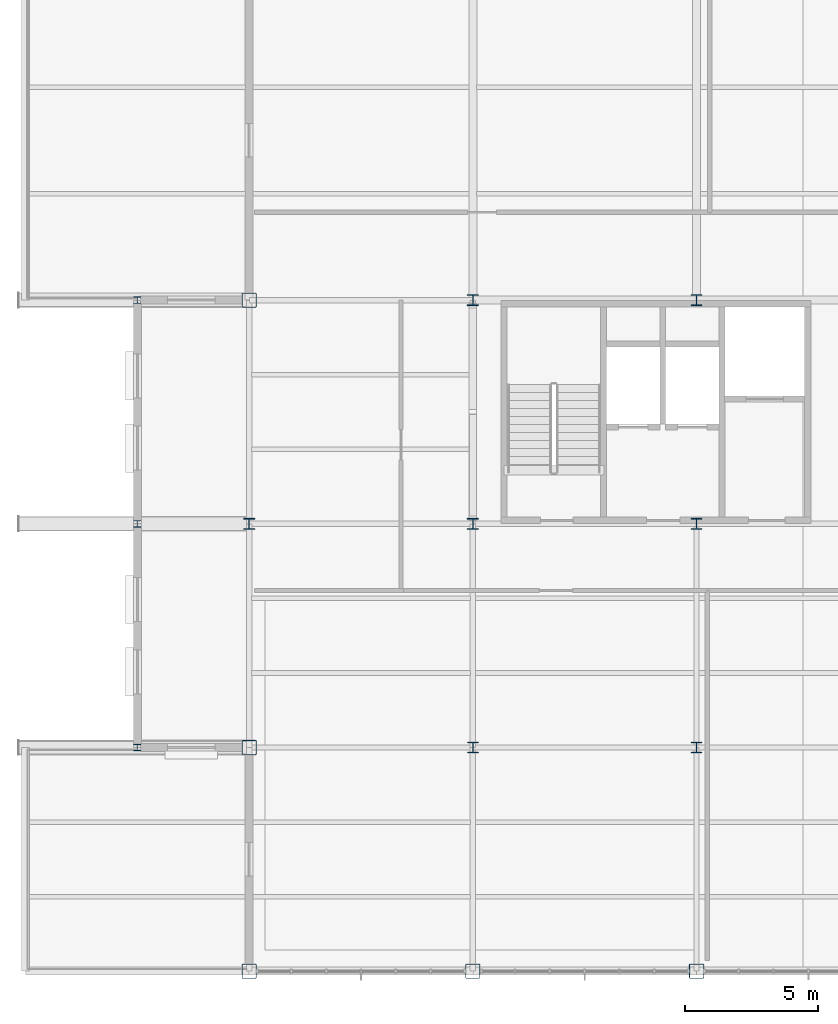
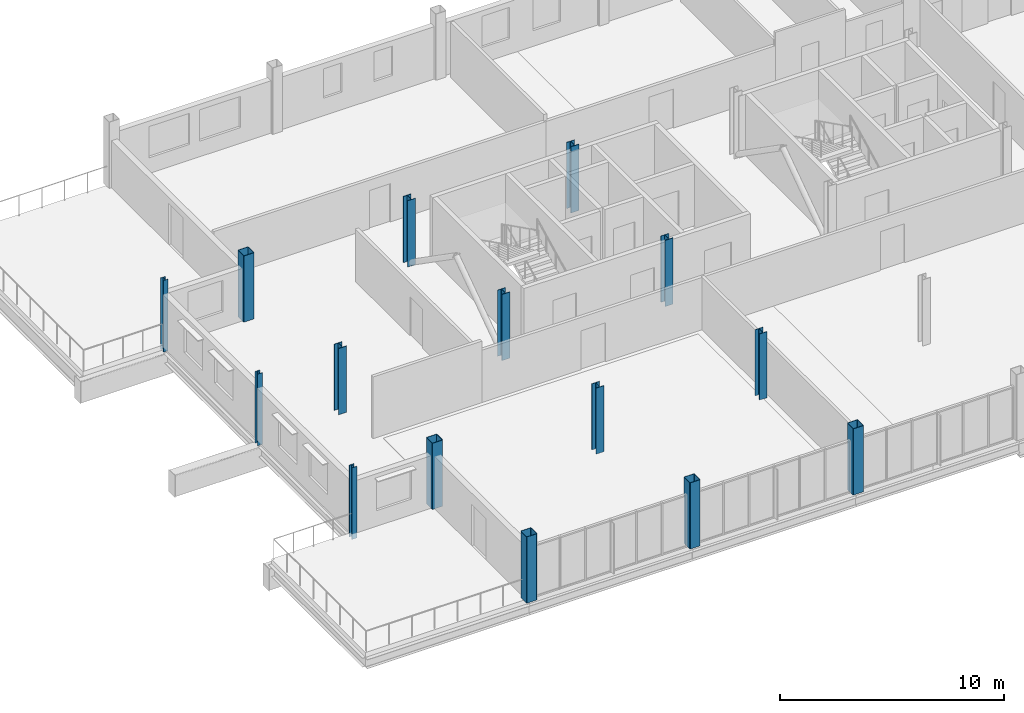
# One storey, part 1 of 18: 15 columns.
"""IFC4 building model written with IfcOpenShell, lengths in metres."""

from ifc_helpers import new_model, si_unit, direction, frame, origin, origin_2d, place, context, subcontext, project, spatial, hollow_rectangle, i_section, extrude, material, material_profile, profile_set, type_object, element, save


model = new_model("IFC4")

# Units and contexts
model_context = context("Model", 3, precision=1e-05, world=origin(), true_north=direction((0.0, 1.0)))
body_context = subcontext(model_context, "Body", "Model", "MODEL_VIEW")
ifc_project = project(units=[si_unit("LENGTHUNIT", "METRE"), si_unit("AREAUNIT", "SQUARE_METRE"), si_unit("VOLUMEUNIT", "CUBIC_METRE"), si_unit("PLANEANGLEUNIT", "RADIAN"), si_unit("MASSUNIT", "GRAM", prefix="KILO")], contexts=[model_context])

# Site, building, storey
site_placement = place(None, origin())
site = spatial("IfcSite", under=ifc_project, at=site_placement, CompositionType="ELEMENT")
building_placement = place(site_placement, origin())
building = spatial("IfcBuilding", under=site, at=building_placement, Name="Yukiwa Park Conservatory and Herbarium", CompositionType="ELEMENT")
storey_placement = place(building_placement, frame((0.0, 0.0, 21.0)))
storey = spatial("IfcBuildingStorey", under=building, at=storey_placement, Name="L05", CompositionType="ELEMENT", Elevation=21.0)

# Columns
ifc_material_1 = material(Name="Steel Q355D", Category="steel")
ifc_material_profile_1 = material_profile(ifc_material_1, i_section(OverallWidth=0.25, OverallDepth=0.25, WebThickness=0.009033203125, FlangeThickness=0.013916015625, FilletRadius=0.01611328125, at=origin_2d()), Name="HW 250x250x9x14")
ifc_profile_set_1 = profile_set([ifc_material_profile_1], Name="Steel Q355D")
column_type_1 = type_object("IfcColumnType", Name="COL-SB-HW250", PredefinedType="COLUMN", material=ifc_profile_set_1)
for number, where, z_axis, x_axis, name in (
    (1, (120.60009765625, 86.39990234375, -0.300048828125), (0.0, 0.0, 1.0), (1.0, 0.0, 0.0), "L05 column V5SB1-X1206-Y864"),
    (2, (120.60009765625, 94.800048828125, -0.300048828125), (0.0, 0.0, 1.0), (1.0, 0.0, 0.0), "L05 column V5SB1-X1206-Y948"),
    (3, (120.60009765625, 103.199951171875, -0.300048828125), (0.0, 0.0, 1.0), (1.0, 0.0, 0.0), "L05 column V5SB1-X1206-Y1032"),
):
    element("IfcColumn", number, at=place(storey_placement, frame(where, z_axis=z_axis, x_axis=x_axis)), inside=storey, type_object=column_type_1, Name=name, PredefinedType="COLUMN", context=body_context, shape_type="SweptSolid", body=[
        extrude(i_section(OverallWidth=0.25, OverallDepth=0.25, WebThickness=0.009033203125, FlangeThickness=0.013916015625, FilletRadius=0.01611328125, at=origin_2d()), origin(), (0.0, 0.0, 1.0), 3.900146484375),
    ])
ifc_material_2 = material(Name="Steel Q355D", Category="steel")
ifc_material_profile_2 = material_profile(ifc_material_2, hollow_rectangle(XDim=0.550048828125, YDim=0.550048828125, WallThickness=0.02197265625, InnerFilletRadius=0.02197265625, OuterFilletRadius=0.0439453125, at=origin_2d()), Name="BOX 550x550x22")
ifc_profile_set_2 = profile_set([ifc_material_profile_2], Name="Steel Q355D")
column_type_2 = type_object("IfcColumnType", Name="COL-TW-BOX550-EXT", PredefinedType="COLUMN", material=ifc_profile_set_2)
for number, where, z_axis, x_axis, name in (
    (4, (124.800048828125, 78.0, 0.0), (0.0, 0.0, 1.0), (1.0, 0.0, 0.0), "L05 column V5-X1248-Y780"),
    (5, (124.800048828125, 86.39990234375, 0.0), (0.0, 0.0, 1.0), (1.0, 0.0, 0.0), "L05 column V5-X1248-Y864"),
    (6, (124.800048828125, 103.199951171875, 0.0), (0.0, 0.0, 1.0), (1.0, 0.0, 0.0), "L05 column V5-X1248-Y1032"),
    (7, (133.199951171875, 78.0, 0.0), (0.0, 0.0, 1.0), (1.0, 0.0, 0.0), "L05 column V5-X1332-Y780"),
    (8, (141.60009765625, 78.0, 0.0), (0.0, 0.0, 1.0), (1.0, 0.0, 0.0), "L05 column V5-X1416-Y780"),
):
    element("IfcColumn", number, at=place(storey_placement, frame(where, z_axis=z_axis, x_axis=x_axis)), inside=storey, type_object=column_type_2, Name=name, PredefinedType="COLUMN", context=body_context, shape_type="SweptSolid", body=[
        extrude(hollow_rectangle(XDim=0.550048828125, YDim=0.550048828125, WallThickness=0.02197265625, InnerFilletRadius=0.02197265625, OuterFilletRadius=0.0439453125, at=origin_2d()), origin(), (0.0, 0.0, 1.0), 3.60009765625),
    ])
ifc_material_3 = material(Name="Steel Q355D", Category="steel")
ifc_material_profile_3 = material_profile(ifc_material_3, i_section(OverallWidth=0.39990234375, OverallDepth=0.39990234375, WebThickness=0.012939453125, FlangeThickness=0.02099609375, FilletRadius=0.02197265625, at=origin_2d()), Name="HW 400x400x13x21")
ifc_profile_set_3 = profile_set([ifc_material_profile_3], Name="Steel Q355D")
column_type_3 = type_object("IfcColumnType", Name="COL-TW-HW400", PredefinedType="COLUMN", material=ifc_profile_set_3)
for number, where, z_axis, x_axis, name in (
    (9, (133.199951171875, 86.39990234375, 0.0), (0.0, 0.0, 1.0), (1.0, 0.0, 0.0), "L05 column V5-X1332-Y864"),
    (10, (141.60009765625, 86.39990234375, 0.0), (0.0, 0.0, 1.0), (1.0, 0.0, 0.0), "L05 column V5-X1416-Y864"),
):
    element("IfcColumn", number, at=place(storey_placement, frame(where, z_axis=z_axis, x_axis=x_axis)), inside=storey, type_object=column_type_3, Name=name, PredefinedType="COLUMN", context=body_context, shape_type="SweptSolid", body=[
        extrude(i_section(OverallWidth=0.39990234375, OverallDepth=0.39990234375, WebThickness=0.012939453125, FlangeThickness=0.02099609375, FilletRadius=0.02197265625, at=origin_2d()), origin(), (0.0, 0.0, 1.0), 3.60009765625),
    ])
ifc_material_4 = material(Name="Steel Q355D", Category="steel")
ifc_material_profile_4 = material_profile(ifc_material_4, i_section(OverallWidth=0.405029296875, OverallDepth=0.4140625, WebThickness=0.01806640625, FlangeThickness=0.028076171875, FilletRadius=0.02197265625, at=origin_2d()), Name="HW 414x405x18x28")
ifc_profile_set_4 = profile_set([ifc_material_profile_4], Name="Steel Q355D")
column_type_4 = type_object("IfcColumnType", Name="COL-TW-HW414", PredefinedType="COLUMN", material=ifc_profile_set_4)
for number, where, z_axis, x_axis, name in (
    (11, (124.800048828125, 94.800048828125, 0.0), (0.0, 0.0, 1.0), (1.0, 0.0, 0.0), "L05 column V5-X1248-Y948"),
    (12, (133.199951171875, 94.800048828125, 0.0), (0.0, 0.0, 1.0), (1.0, 0.0, 0.0), "L05 column V5-X1332-Y948"),
    (13, (133.199951171875, 103.199951171875, 0.0), (0.0, 0.0, 1.0), (1.0, 0.0, 0.0), "L05 column V5-X1332-Y1032"),
    (14, (141.60009765625, 94.800048828125, 0.0), (0.0, 0.0, 1.0), (1.0, 0.0, 0.0), "L05 column V5-X1416-Y948"),
    (15, (141.60009765625, 103.199951171875, 0.0), (0.0, 0.0, 1.0), (1.0, 0.0, 0.0), "L05 column V5-X1416-Y1032"),
):
    element("IfcColumn", number, at=place(storey_placement, frame(where, z_axis=z_axis, x_axis=x_axis)), inside=storey, type_object=column_type_4, Name=name, PredefinedType="COLUMN", context=body_context, shape_type="SweptSolid", body=[
        extrude(i_section(OverallWidth=0.405029296875, OverallDepth=0.4140625, WebThickness=0.01806640625, FlangeThickness=0.028076171875, FilletRadius=0.02197265625, at=origin_2d()), origin(), (0.0, 0.0, 1.0), 3.60009765625),
    ])

save(model, "model.ifc")
